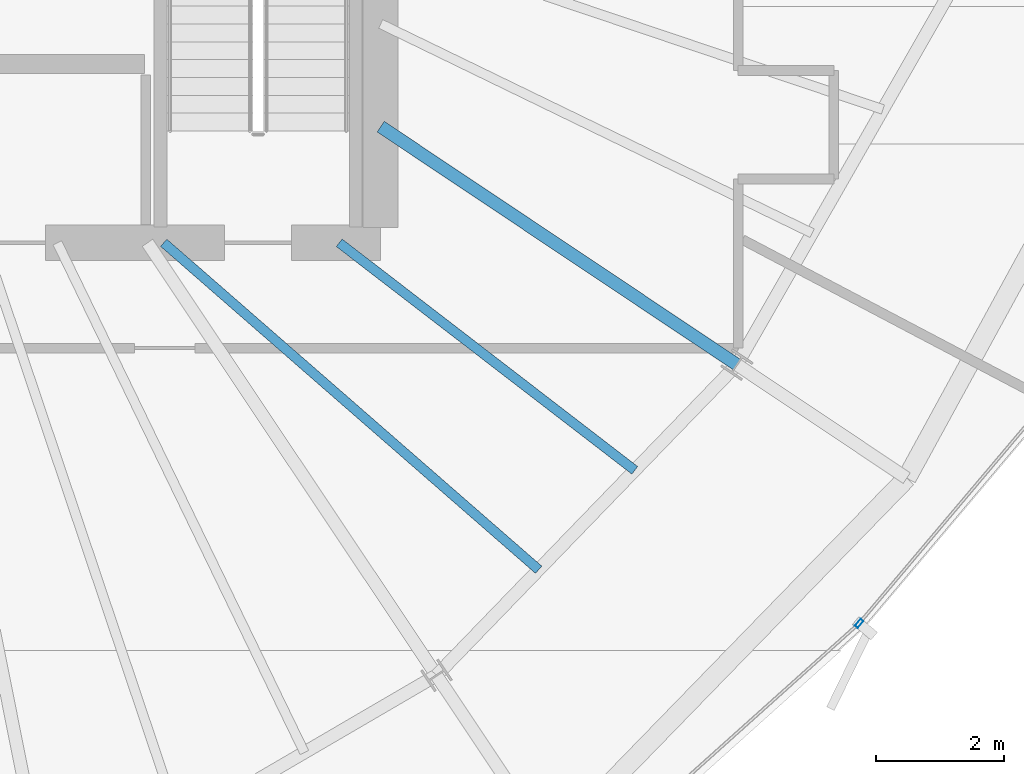
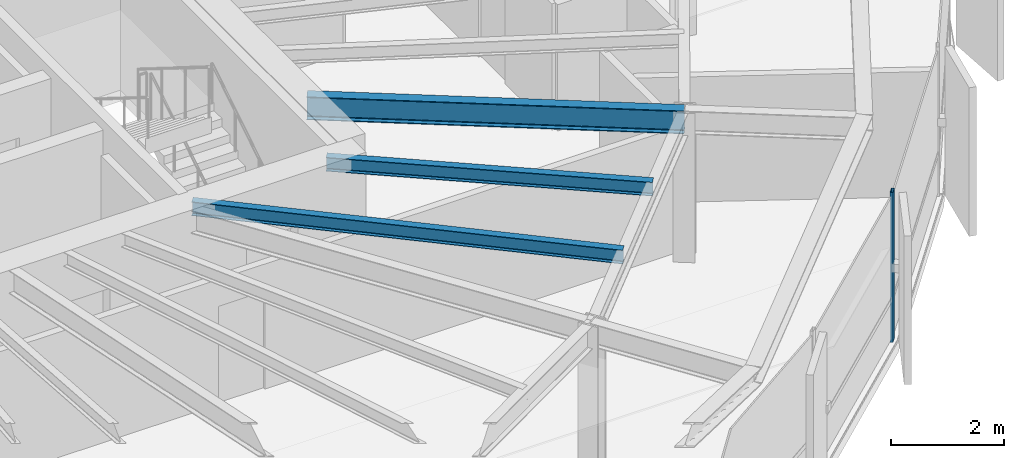
# One storey, part 14 of 34: 3 beams, 1 member, 1 element without a shape of its own.
"""IFC4 building model written with IfcOpenShell, lengths in metres."""

from ifc_helpers import new_model, si_unit, direction, frame, origin, origin_2d, place, context, subcontext, project, spatial, hollow_rectangle, i_section, extrude, source, transform, mapped, material, layer, layer_set, material_profile, profile_set, type_object, element, aggregate, save


model = new_model("IFC4")

# Units and contexts
model_context = context("Model", 3, precision=1e-05, world=origin(), true_north=direction((0.0, 1.0)))
body_context = subcontext(model_context, "Body", "Model", "MODEL_VIEW")
ifc_project = project(units=[si_unit("LENGTHUNIT", "METRE"), si_unit("AREAUNIT", "SQUARE_METRE"), si_unit("VOLUMEUNIT", "CUBIC_METRE"), si_unit("PLANEANGLEUNIT", "RADIAN"), si_unit("MASSUNIT", "GRAM", prefix="KILO"), si_unit("THERMODYNAMICTEMPERATUREUNIT", "KELVIN")], contexts=[model_context])

# Site, building, storey
site_placement = place(None, origin())
site = spatial("IfcSite", under=ifc_project, at=site_placement, CompositionType="ELEMENT")
building_placement = place(site_placement, origin())
building = spatial("IfcBuilding", under=site, at=building_placement, Name="Kethvar Cultural Tower", CompositionType="ELEMENT")
storey_placement = place(building_placement, frame((0.0, 0.0, 186.89990234375)))
storey = spatial("IfcBuildingStorey", under=building, at=storey_placement, Name="L48", CompositionType="ELEMENT", Elevation=186.89990234375)

# Beams
ifc_material_1 = material(Name="Steel S355J2", Category="steel")
ifc_material_profile_1 = material_profile(ifc_material_1, i_section(OverallWidth=0.199951171875, OverallDepth=0.5, WebThickness=0.01025390625, FlangeThickness=0.01611328125, FilletRadius=0.02099609375, at=origin_2d()), Name="Steel S355J2 — IPE500")
ifc_profile_set_1 = profile_set([ifc_material_profile_1], Name="Steel S355J2 — IPE500")
beam_type_1 = type_object("IfcBeamType", Name="BM-IPE500", PredefinedType="BEAM", material=ifc_profile_set_1)
shared_shape_1 = source(origin(), body_context, "Body", "SweptSolid", [
    extrude(i_section(OverallWidth=0.199951171875, OverallDepth=0.5, WebThickness=0.01025390625, FlangeThickness=0.01611328125, FilletRadius=0.02099609375, at=origin_2d()), origin(), (0.0, 0.0, 1.0), 6.7138671875),
])
beam_1_placement = place(storey_placement, frame((55.60009765625, 21.919921875, 3.008056640625), z_axis=(0.831479232731, -0.555555834762, 0.0), x_axis=(0.555555834762, 0.831479232731, 0.0)))
element("IfcBeam", 1, at=beam_1_placement, inside=storey, type_object=beam_type_1, Name="L48 Primary Radial Beam RB-15", PredefinedType="BEAM", context=body_context, shape_type="MappedRepresentation", body=[
    mapped(shared_shape_1, transform((0.0, 0.0, 0.0), scale=1.0)),
])
ifc_material_profile_2 = material_profile(ifc_material_1, i_section(OverallWidth=0.14990234375, OverallDepth=0.300048828125, WebThickness=0.007080078125, FlangeThickness=0.0107421875, FilletRadius=0.014892578125, at=origin_2d()), Name="Steel S355J2 — IPE300")
ifc_profile_set_2 = profile_set([ifc_material_profile_2], Name="Steel S355J2 — IPE300")
beam_type_2 = type_object("IfcBeamType", Name="BM-J300", PredefinedType="JOIST", material=ifc_profile_set_2)
shared_shape_2 = source(origin(), body_context, "Body", "SweptSolid", [
    extrude(i_section(OverallWidth=0.14990234375, OverallDepth=0.300048828125, WebThickness=0.007080078125, FlangeThickness=0.0107421875, FilletRadius=0.014892578125, at=origin_2d()), origin(), (0.0, 0.0, 1.0), 7.7958984375),
])
beam_2_placement = place(storey_placement, frame((52.199951171875, 20.10009765625, 3.108154296875), z_axis=(0.753673681644, -0.657248797335, 0.0), x_axis=(0.657248797335, 0.753673681644, 0.0)))
element("IfcBeam", 2, at=beam_2_placement, inside=storey, type_object=beam_type_2, Name="L48 Composite Floor Joist J-14A", PredefinedType="JOIST", context=body_context, shape_type="MappedRepresentation", body=[
    mapped(shared_shape_2, transform((0.0, 0.0, 0.0), scale=1.0)),
])
shared_shape_3 = source(origin(), body_context, "Body", "SweptSolid", [
    extrude(i_section(OverallWidth=0.14990234375, OverallDepth=0.300048828125, WebThickness=0.007080078125, FlangeThickness=0.0107421875, FilletRadius=0.014892578125, at=origin_2d()), origin(), (0.0, 0.0, 1.0), 5.84521484375),
])
beam_3_placement = place(storey_placement, frame((54.949951171875, 20.10009765625, 3.108154296875), z_axis=(0.792398798307, -0.610003397073, 0.0), x_axis=(0.610003397073, 0.792398798307, 0.0)))
element("IfcBeam", 3, at=beam_3_placement, inside=storey, type_object=beam_type_2, Name="L48 Composite Floor Joist J-14B", PredefinedType="JOIST", context=body_context, shape_type="MappedRepresentation", body=[
    mapped(shared_shape_3, transform((0.0, 0.0, 0.0), scale=1.0)),
])

# Curtain wall, member
ifc_material_2 = material(Name="Aluminium 6063-T6", Category="aluminium")
ifc_layer = layer(ifc_material_2, 0.179931640625, Name="Aluminium 6063-T6", Category="aluminium")
ifc_layer_set = layer_set([ifc_layer], Name="Aluminium 6063-T6 (180 mm)")
curtain_wall_type = type_object("IfcCurtainWallType", Name="CW-SYS-04-Z34", PredefinedType="NOTDEFINED", material=ifc_layer_set)
curtain_wall_placement = place(storey_placement, origin())
curtain_wall = element("IfcCurtainWall", 4, at=curtain_wall_placement, inside=storey, type_object=curtain_wall_type, Name="L48 Curtain Wall Run 05", PredefinedType="NOTDEFINED")
ifc_material_profile_3 = material_profile(ifc_material_2, hollow_rectangle(XDim=0.06005859375, YDim=0.139892578125, WallThickness=0.0048828125, at=origin_2d()), Name="Aluminium 6063-T6 — RHS140x60x5")
ifc_profile_set_3 = profile_set([ifc_material_profile_3], Name="Aluminium 6063-T6 — RHS140x60x5")
member_type = type_object("IfcMemberType", Name="CW-SYS-04-Z34-MUL", PredefinedType="MULLION", material=ifc_profile_set_3)
shared_shape_4 = source(origin(), body_context, "Body", "SweptSolid", [
    extrude(hollow_rectangle(XDim=0.06005859375, YDim=0.139892578125, WallThickness=0.0048828125, at=origin_2d()), origin(), (0.0, 0.0, 1.0), 3.260009765625),
])
member_placement = place(storey_placement, frame((63.096923828125, 14.134521484375, 0.0), z_axis=(0.0, 0.0, 1.0), x_axis=(-0.764133884775, 0.645057676599, 0.0)))
member = element("IfcMember", 5, at=member_placement, type_object=member_type, Name="CW-L48-R05 Mullion 5", PredefinedType="MULLION", context=body_context, shape_type="MappedRepresentation", body=[
    mapped(shared_shape_4, transform((0.0, 0.0, 0.0), scale=1.0)),
])
aggregate(curtain_wall, [member])

save(model, "model.ifc")
